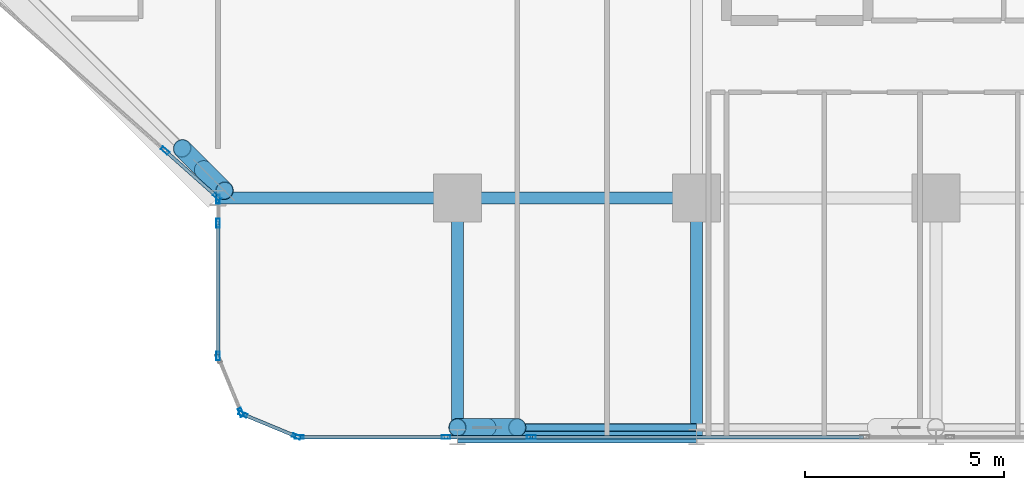
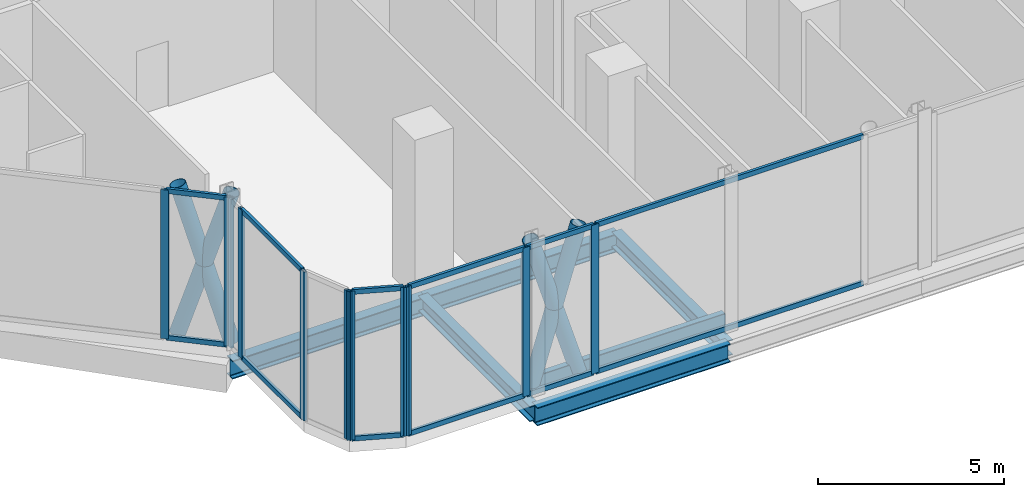
# One storey, part 4 of 36: 30 members, 5 beams, 8 elements without a shape of their own.
"""IFC4 building model written with IfcOpenShell, lengths in metres."""

import ifcopenshell
import ifcopenshell.guid

model = None  # the IFC model being written
_history = None  # IfcOwnerHistory: only IFC2X3 demands one
_inside = {}  # id of a spatial element -> (the spatial element, [elements in it])
_under = {}  # id of a project, library or spatial element -> (it, [spatial elements below it])
_declared = {}  # id of a project -> (the project, [libraries it declares])
_typed = {}  # id of a type object -> (the type object, [elements of that type])
_made_of = {}  # id of a material, layer set ... -> (it, [elements and type objects made of it])


def new_model(schema):
    """Start an empty IFC model of exactly this schema.

    Asked for "IFC4X3", IfcOpenShell would pick the latest addendum, in which some entities
    have other attributes; the version numbers below select the first issue.
    IFC2X3 requires an IfcOwnerHistory on every rooted entity: one is made here for all.
    """
    global model, _history
    if schema == "IFC4X3":
        model = ifcopenshell.file(schema_version=(4, 3, 0, 0))
    else:
        model = ifcopenshell.file(schema=schema)
    _inside.clear()
    _under.clear()
    _declared.clear()
    _typed.clear()
    _made_of.clear()
    _history = None
    if model.schema == "IFC2X3":
        org = make("IfcOrganization", Name="unknown")
        user = make(
            "IfcPersonAndOrganization",
            ThePerson=make("IfcPerson", FamilyName="unknown"),
            TheOrganization=org,
        )
        app = make(
            "IfcApplication",
            ApplicationDeveloper=org,
            Version="unknown",
            ApplicationFullName="unknown",
            ApplicationIdentifier="unknown",
        )
        _history = make(
            "IfcOwnerHistory",
            OwningUser=user,
            OwningApplication=app,
            ChangeAction="ADDED",
            CreationDate=0,
        )
    return model


def make(cls, **values):
    """One entity of the class cls with the attributes given. An attribute that is None is left unset."""
    return model.create_entity(
        cls, **{name: value for name, value in values.items() if value is not None}
    )


def rooted(cls, **values):
    """An entity with a GlobalId (a new one), such as an element, a storey or a relation."""
    return make(cls, GlobalId=ifcopenshell.guid.new(), OwnerHistory=_history, **values)


def si_unit(unit_type, name, prefix=None):
    """IfcSIUnit, for example si_unit("LENGTHUNIT", "METRE", prefix="MILLI")."""
    return make("IfcSIUnit", UnitType=unit_type, Prefix=prefix, Name=name)


def assignment(units):
    """IfcUnitAssignment: the units of a project."""
    return None if units is None else make("IfcUnitAssignment", Units=units)


def point(xyz):
    """IfcCartesianPoint."""
    return None if xyz is None else make("IfcCartesianPoint", Coordinates=xyz)


def direction(xyz):
    """IfcDirection."""
    return None if xyz is None else make("IfcDirection", DirectionRatios=xyz)


def frame(location, z_axis=None, x_axis=None):
    """IfcAxis2Placement3D, a coordinate frame: its origin and axes. An axis left out is left unset."""
    return make(
        "IfcAxis2Placement3D",
        Location=point(location),
        Axis=direction(z_axis),
        RefDirection=direction(x_axis),
    )


def frame_2d(location, x_axis=None):
    """IfcAxis2Placement2D, a coordinate frame in the plane: its origin and x axis."""
    return make(
        "IfcAxis2Placement2D", Location=point(location), RefDirection=direction(x_axis)
    )


def origin():
    """The frame at (0, 0, 0) with its axes left unset."""
    return frame((0.0, 0.0, 0.0))


def origin_2d():
    """The frame at (0, 0) in the plane with its x axis left unset."""
    return frame_2d((0.0, 0.0))


def place(relative_to, where):
    """IfcLocalPlacement: puts the frame where relative to a parent placement (None: the world)."""
    return make(
        "IfcLocalPlacement", PlacementRelTo=relative_to, RelativePlacement=where
    )


def context(
    kind, dimensions, precision=None, world=None, true_north=None, identifier=None
):
    """IfcGeometricRepresentationContext, for example the 3D "Model" context."""
    return make(
        "IfcGeometricRepresentationContext",
        ContextIdentifier=identifier,
        ContextType=kind,
        CoordinateSpaceDimension=dimensions,
        Precision=precision,
        WorldCoordinateSystem=world,
        TrueNorth=true_north,
    )


def subcontext(parent, identifier, kind, view, scale=None):
    """IfcGeometricRepresentationSubContext, for example "Body" below "Model"."""
    return make(
        "IfcGeometricRepresentationSubContext",
        ContextIdentifier=identifier,
        ContextType=kind,
        ParentContext=parent,
        TargetScale=scale,
        TargetView=view,
    )


def project(units=None, contexts=None):
    """IfcProject with its units and contexts."""
    return rooted(
        "IfcProject",
        Name="project",
        RepresentationContexts=contexts,
        UnitsInContext=assignment(units),
    )


def spatial(cls, under=None, at=None, **own):
    """A site, building, storey or space (cls), placed at a placement, below another one or the project."""
    s = rooted(cls, ObjectPlacement=at, **own)
    if under is not None:
        _under.setdefault(under.id(), (under, []))[1].append(s)
    return s


def profile(cls, at=None, kind="AREA", **sizes):
    """A parametric profile (cls). Its sizes go by their IFC names, for example OverallWidth=200.0."""
    return make(cls, ProfileType=kind, Position=at, **sizes)


def hollow_rectangle(**sizes):
    """IfcRectangleHollowProfileDef."""
    return profile("IfcRectangleHollowProfileDef", **sizes)


def hollow_circle(**sizes):
    """IfcCircleHollowProfileDef."""
    return profile("IfcCircleHollowProfileDef", **sizes)


def i_section(**sizes):
    """IfcIShapeProfileDef."""
    return profile("IfcIShapeProfileDef", **sizes)


def extrude(swept, where, along, depth):
    """IfcExtrudedAreaSolid: the profile swept, set in the frame where, extruded along a direction by depth."""
    return make(
        "IfcExtrudedAreaSolid",
        SweptArea=swept,
        Position=where,
        ExtrudedDirection=direction(along),
        Depth=depth,
    )


def shape(context_of_items, identifier, shape_type, items):
    """IfcShapeRepresentation: the items that make up one representation, for example the "Body"."""
    return make(
        "IfcShapeRepresentation",
        ContextOfItems=context_of_items,
        RepresentationIdentifier=identifier,
        RepresentationType=shape_type,
        Items=items,
    )


def material(Name=None, Category=None):
    """IfcMaterial."""
    return make("IfcMaterial", Name=Name, Category=Category)


def layer(
    of_material, thickness, ventilated=None, Name=None, Category=None, Priority=None
):
    """IfcMaterialLayer: one layer of a wall or slab, of a material (None: an air gap)."""
    return make(
        "IfcMaterialLayer",
        Material=of_material,
        LayerThickness=thickness,
        IsVentilated=ventilated,
        Name=Name,
        Category=Category,
        Priority=Priority,
    )


def layer_set(layers, Name=None):
    """IfcMaterialLayerSet."""
    return make("IfcMaterialLayerSet", MaterialLayers=layers, LayerSetName=Name)


def material_profile(
    of_material, cross_section, Name=None, Category=None, Priority=None
):
    """IfcMaterialProfile: a cross section and its material."""
    return make(
        "IfcMaterialProfile",
        Name=Name,
        Material=of_material,
        Profile=cross_section,
        Priority=Priority,
        Category=Category,
    )


def profile_set(profiles, Name=None, composite=None):
    """IfcMaterialProfileSet."""
    return make(
        "IfcMaterialProfileSet",
        Name=Name,
        MaterialProfiles=profiles,
        CompositeProfile=composite,
    )


def made_of(thing, what):
    """Note that an element or type object is made of a material, layer set ...; save() writes the relation."""
    if what is not None:
        _made_of.setdefault(what.id(), (what, []))[1].append(thing)
    return thing


def type_object(cls, material=None, **own):
    """A type object (cls), such as IfcWallType, which elements share."""
    return made_of(rooted(cls, **own), material)


def element(
    cls,
    number,
    at=None,
    inside=None,
    cuts=None,
    type_object=None,
    material=None,
    context=None,
    identifier="Body",
    shape_type=None,
    held_by="IfcProductDefinitionShape",
    body=None,
    shapes=None,
    **own,
):
    """One element of the class cls, such as IfcWall. Its Tag is "e" and its number.

    at: its placement. inside: the storey or other place that contains it. cuts: it is an
    opening in that element (IfcRelVoidsElement). A single representation is given by context,
    identifier, shape_type and body (its items); several are given by shapes. held_by: the class
    of the entity that holds the representations. save() writes the other relations.
    """
    e = rooted(cls, Tag="e%d" % number, ObjectPlacement=at, **own)
    if body is not None:
        shapes = [shape(context, identifier, shape_type, body)]
    if shapes is not None:
        e.Representation = make(held_by, Representations=shapes)
    if inside is not None:
        _inside.setdefault(inside.id(), (inside, []))[1].append(e)
    if cuts is not None:
        rooted(
            "IfcRelVoidsElement", RelatingBuildingElement=cuts, RelatedOpeningElement=e
        )
    if type_object is not None:
        _typed.setdefault(type_object.id(), (type_object, []))[1].append(e)
    return made_of(e, material)


def aggregate(whole, parts):
    """IfcRelAggregates: a whole, such as a stair, and the parts it consists of."""
    return rooted("IfcRelAggregates", RelatingObject=whole, RelatedObjects=parts)


def save(model, path):
    """Write the relations noted so far, then the file.

    IfcRelAggregates (storeys below a building ...), IfcRelContainedInSpatialStructure (elements
    in a storey), IfcRelDefinesByType, IfcRelAssociatesMaterial and IfcRelDeclares: one each for
    every whole, place, type object, material and project.
    """
    for whole, parts in _under.values():
        aggregate(whole, parts)
    for where, things in _inside.values():
        rooted(
            "IfcRelContainedInSpatialStructure",
            RelatedElements=things,
            RelatingStructure=where,
        )
    for kind, things in _typed.values():
        rooted("IfcRelDefinesByType", RelatedObjects=things, RelatingType=kind)
    for what, things in _made_of.values():
        rooted("IfcRelAssociatesMaterial", RelatedObjects=things, RelatingMaterial=what)
    for by, libraries in _declared.values():
        rooted("IfcRelDeclares", RelatingContext=by, RelatedDefinitions=libraries)
    model.write(path)


model = new_model("IFC4")

# Units and contexts
model_context = context("Model", 3, precision=1e-05, world=origin(), true_north=direction((0.0, 1.0)))
body_context = subcontext(model_context, "Body", "Model", "MODEL_VIEW")
ifc_project = project(units=[si_unit("LENGTHUNIT", "METRE"), si_unit("AREAUNIT", "SQUARE_METRE"), si_unit("VOLUMEUNIT", "CUBIC_METRE"), si_unit("PLANEANGLEUNIT", "RADIAN"), si_unit("MASSUNIT", "GRAM", prefix="KILO")], contexts=[model_context])

# Site, building, storey
site_placement = place(None, origin())
site = spatial("IfcSite", under=ifc_project, at=site_placement, CompositionType="ELEMENT")
building_placement = place(site_placement, origin())
building = spatial("IfcBuilding", under=site, at=building_placement, Name="Keshet Zoharim Tower", CompositionType="ELEMENT")
storey_placement = place(building_placement, frame((0.0, 0.0, 81.199951171875)))
storey = spatial("IfcBuildingStorey", under=building, at=storey_placement, Name="L19", CompositionType="ELEMENT", Elevation=81.199951171875)

# Beams
ifc_material_1 = material(Name="Steel S355", Category="steel")
ifc_material_profile_1 = material_profile(ifc_material_1, i_section(OverallWidth=0.300048828125, OverallDepth=0.5, WebThickness=0.014404296875, FlangeThickness=0.028076171875, FilletRadius=0.027099609375, at=origin_2d()), Name="HEB500")
ifc_profile_set_1 = profile_set([ifc_material_profile_1], Name="Steel S355")
beam_type_1 = type_object("IfcBeamType", Name="BM-WEB-HB500", PredefinedType="BEAM", material=ifc_profile_set_1)
for number, where, z_axis, x_axis, name in (
    (1, (27.0, 0.699951171875, -0.669921875), (0.0, 1.0, 0.0), (-1.0, 0.0, 0.0), "L19 Primary Girder Y-004"),
    (2, (33.0, 0.699951171875, -0.669921875), (0.0, 1.0, 0.0), (-1.0, 0.0, 0.0), "L19 Primary Girder Y-005"),
):
    element("IfcBeam", number, at=place(storey_placement, frame(where, z_axis=z_axis, x_axis=x_axis)), inside=storey, type_object=beam_type_1, Name=name, PredefinedType="BEAM", context=body_context, shape_type="SweptSolid", body=[
        extrude(i_section(OverallWidth=0.300048828125, OverallDepth=0.5, WebThickness=0.014404296875, FlangeThickness=0.028076171875, FilletRadius=0.027099609375, at=origin_2d()), origin(), (0.0, 0.0, 1.0), 6.0),
    ])
ifc_material_profile_2 = material_profile(ifc_material_1, i_section(OverallWidth=0.300048828125, OverallDepth=0.60009765625, WebThickness=0.015380859375, FlangeThickness=0.030029296875, FilletRadius=0.027099609375, at=origin_2d()), Name="HEB600")
ifc_profile_set_2 = profile_set([ifc_material_profile_2], Name="Steel S355")
beam_type_2 = type_object("IfcBeamType", Name="BM-WEB-HB600", PredefinedType="BEAM", material=ifc_profile_set_2)
for number, where, z_axis, x_axis, name in (
    (3, (27.0, 0.699951171875, -0.719970703125), (1.0, 0.0, 0.0), (0.0, 1.0, 0.0), "L19 Primary Girder X-001"),
    (4, (21.0, 6.699951171875, -0.719970703125), (1.0, 0.0, 0.0), (0.0, 1.0, 0.0), "L19 Primary Girder X-006"),
    (5, (27.0, 6.699951171875, -0.719970703125), (1.0, 0.0, 0.0), (0.0, 1.0, 0.0), "L19 Primary Girder X-007"),
):
    element("IfcBeam", number, at=place(storey_placement, frame(where, z_axis=z_axis, x_axis=x_axis)), inside=storey, type_object=beam_type_2, Name=name, PredefinedType="BEAM", context=body_context, shape_type="SweptSolid", body=[
        extrude(i_section(OverallWidth=0.300048828125, OverallDepth=0.60009765625, WebThickness=0.015380859375, FlangeThickness=0.030029296875, FilletRadius=0.027099609375, at=origin_2d()), origin(), (0.0, 0.0, 1.0), 6.0),
    ])

# Curtain wall, members
ifc_material_2 = material(Name="Aluminium 6063-T6", Category="aluminium")
ifc_layer = layer(ifc_material_2, 0.179931640625)
ifc_layer_set = layer_set([ifc_layer], Name="Aluminium 6063-T6")
curtain_wall_type = type_object("IfcCurtainWallType", Name="CW-SYS-01", PredefinedType="NOTDEFINED", material=ifc_layer_set)
curtain_wall_1_placement = place(storey_placement, origin())
curtain_wall_1 = element("IfcCurtainWall", 6, at=curtain_wall_1_placement, inside=storey, type_object=curtain_wall_type, Name="L19 Unitised Curtain Wall 01", PredefinedType="NOTDEFINED")
ifc_material_profile_3 = material_profile(ifc_material_2, hollow_rectangle(XDim=0.090087890625, YDim=0.219970703125, WallThickness=0.0048828125, at=origin_2d()), Name="MUL-90x220")
ifc_profile_set_3 = profile_set([ifc_material_profile_3], Name="Aluminium 6063-T6")
member_type_1 = type_object("IfcMemberType", Name="CWM-M22", PredefinedType="MULLION", material=ifc_profile_set_3)
member_1_placement = place(storey_placement, frame((20.973876953125, 6.72314453125, 0.0), z_axis=(0.0, 0.0, 1.0), x_axis=(-0.664377507004, -0.747397168972, 0.0)))
member_1 = element("IfcMember", 7, at=member_1_placement, type_object=member_type_1, Name="CW-01 mullion 1", PredefinedType="MULLION", context=body_context, shape_type="SweptSolid", body=[
    extrude(hollow_rectangle(XDim=0.090087890625, YDim=0.219970703125, WallThickness=0.0048828125, at=origin_2d()), origin(), (0.0, 0.0, 1.0), 4.885009765625),
])
member_2_placement = place(storey_placement, frame((19.66845703125, 7.883544921875, 0.0), z_axis=(0.0, 0.0, 1.0), x_axis=(-0.664377507004, -0.747397168972, 0.0)))
member_2 = element("IfcMember", 8, at=member_2_placement, type_object=member_type_1, Name="CW-01 mullion 2", PredefinedType="MULLION", context=body_context, shape_type="SweptSolid", body=[
    extrude(hollow_rectangle(XDim=0.090087890625, YDim=0.219970703125, WallThickness=0.0048828125, at=origin_2d()), origin(), (0.0, 0.0, 1.0), 4.885009765625),
])

# Curtain wall, member
curtain_wall_2_placement = place(storey_placement, origin())
curtain_wall_2 = element("IfcCurtainWall", 9, at=curtain_wall_2_placement, inside=storey, type_object=curtain_wall_type, Name="L19 Unitised Curtain Wall 26 Part 8", PredefinedType="NOTDEFINED")
member_3_placement = place(storey_placement, frame((28.853515625, 0.699951171875, 0.0), z_axis=(0.0, 0.0, 1.0), x_axis=(0.0, -1.0, 0.0)))
member_3 = element("IfcMember", 10, at=member_3_placement, type_object=member_type_1, Name="CW-01 mullion 2", PredefinedType="MULLION", context=body_context, shape_type="SweptSolid", body=[
    extrude(hollow_rectangle(XDim=0.090087890625, YDim=0.219970703125, WallThickness=0.0048828125, at=origin_2d()), origin(), (0.0, 0.0, 1.0), 4.885009765625),
])

curtain_wall_3_placement = place(storey_placement, origin())
curtain_wall_3 = element("IfcCurtainWall", 11, at=curtain_wall_3_placement, inside=storey, type_object=curtain_wall_type, Name="L19 Unitised Curtain Wall 26 Part 9", PredefinedType="NOTDEFINED")
member_4_placement = place(storey_placement, frame((26.716552734375, 0.699951171875, 0.0), z_axis=(0.0, 0.0, 1.0), x_axis=(0.0, -1.0, 0.0)))
member_4 = element("IfcMember", 12, at=member_4_placement, type_object=member_type_1, Name="CW-01 mullion 2", PredefinedType="MULLION", context=body_context, shape_type="SweptSolid", body=[
    extrude(hollow_rectangle(XDim=0.090087890625, YDim=0.219970703125, WallThickness=0.0048828125, at=origin_2d()), origin(), (0.0, 0.0, 1.0), 4.885009765625),
])

curtain_wall_4_placement = place(storey_placement, origin())
curtain_wall_4 = element("IfcCurtainWall", 13, at=curtain_wall_4_placement, inside=storey, type_object=curtain_wall_type, Name="L19 Unitised Curtain Wall 26 Part 10", PredefinedType="NOTDEFINED")
member_5_placement = place(storey_placement, frame((23.034912109375, 0.699951171875, 0.0), z_axis=(0.0, 0.0, 1.0), x_axis=(0.0, -1.0, 0.0)))
member_5 = element("IfcMember", 14, at=member_5_placement, type_object=member_type_1, Name="CW-01 mullion 2", PredefinedType="MULLION", context=body_context, shape_type="SweptSolid", body=[
    extrude(hollow_rectangle(XDim=0.090087890625, YDim=0.219970703125, WallThickness=0.0048828125, at=origin_2d()), origin(), (0.0, 0.0, 1.0), 4.885009765625),
])

# Curtain wall, members
curtain_wall_5_placement = place(storey_placement, origin())
curtain_wall_5 = element("IfcCurtainWall", 15, at=curtain_wall_5_placement, inside=storey, type_object=curtain_wall_type, Name="L19 Unitised Curtain Wall 27", PredefinedType="NOTDEFINED")
member_6_placement = place(storey_placement, frame((22.9677734375, 0.71337890625, 0.0), z_axis=(0.0, 0.0, 1.0), x_axis=(-0.382851849847, -0.92380975372, 0.0)))
member_6 = element("IfcMember", 16, at=member_6_placement, type_object=member_type_1, Name="CW-01 mullion 1", PredefinedType="MULLION", context=body_context, shape_type="SweptSolid", body=[
    extrude(hollow_rectangle(XDim=0.090087890625, YDim=0.219970703125, WallThickness=0.0048828125, at=origin_2d()), origin(), (0.0, 0.0, 1.0), 4.885009765625),
])
member_7_placement = place(storey_placement, frame((21.618408203125, 1.272705078125, 0.0), z_axis=(0.0, 0.0, 1.0), x_axis=(-0.382851849847, -0.92380975372, 0.0)))
member_7 = element("IfcMember", 17, at=member_7_placement, type_object=member_type_1, Name="CW-01 mullion 2", PredefinedType="MULLION", context=body_context, shape_type="SweptSolid", body=[
    extrude(hollow_rectangle(XDim=0.090087890625, YDim=0.219970703125, WallThickness=0.0048828125, at=origin_2d()), origin(), (0.0, 0.0, 1.0), 4.885009765625),
])

# Curtain wall, member
curtain_wall_6_placement = place(storey_placement, origin())
curtain_wall_6 = element("IfcCurtainWall", 18, at=curtain_wall_6_placement, inside=storey, type_object=curtain_wall_type, Name="L19 Unitised Curtain Wall 28", PredefinedType="NOTDEFINED")
member_8_placement = place(storey_placement, frame((21.572509765625, 1.318359375, 0.0), z_axis=(0.0, 0.0, 1.0), x_axis=(-0.92380975372, -0.382851849847, 0.0)))
member_8 = element("IfcMember", 19, at=member_8_placement, type_object=member_type_1, Name="CW-01 mullion 1", PredefinedType="MULLION", context=body_context, shape_type="SweptSolid", body=[
    extrude(hollow_rectangle(XDim=0.090087890625, YDim=0.219970703125, WallThickness=0.0048828125, at=origin_2d()), origin(), (0.0, 0.0, 1.0), 4.885009765625),
])
aggregate(curtain_wall_6, [member_8])

# Curtain wall, members
curtain_wall_7_placement = place(storey_placement, origin())
curtain_wall_7 = element("IfcCurtainWall", 20, at=curtain_wall_7_placement, inside=storey, type_object=curtain_wall_type, Name="L19 Unitised Curtain Wall 29", PredefinedType="NOTDEFINED")
member_9_placement = place(storey_placement, frame((21.0, 2.735107421875, 0.0), z_axis=(0.0, 0.0, 1.0), x_axis=(-1.0, 0.0, 0.0)))
member_9 = element("IfcMember", 21, at=member_9_placement, type_object=member_type_1, Name="CW-01 mullion 1", PredefinedType="MULLION", context=body_context, shape_type="SweptSolid", body=[
    extrude(hollow_rectangle(XDim=0.090087890625, YDim=0.219970703125, WallThickness=0.0048828125, at=origin_2d()), origin(), (0.0, 0.0, 1.0), 4.885009765625),
])
member_10_placement = place(storey_placement, frame((21.0, 6.06494140625, 0.0), z_axis=(0.0, 0.0, 1.0), x_axis=(-1.0, 0.0, 0.0)))
member_10 = element("IfcMember", 22, at=member_10_placement, type_object=member_type_1, Name="CW-01 mullion 2", PredefinedType="MULLION", context=body_context, shape_type="SweptSolid", body=[
    extrude(hollow_rectangle(XDim=0.090087890625, YDim=0.219970703125, WallThickness=0.0048828125, at=origin_2d()), origin(), (0.0, 0.0, 1.0), 4.885009765625),
])

# Curtain wall, member
curtain_wall_8_placement = place(storey_placement, origin())
curtain_wall_8 = element("IfcCurtainWall", 23, at=curtain_wall_8_placement, inside=storey, type_object=curtain_wall_type, Name="L19 Unitised Curtain Wall 29 Part 2", PredefinedType="NOTDEFINED")
member_11_placement = place(storey_placement, frame((21.0, 6.6650390625, 0.0), z_axis=(0.0, 0.0, 1.0), x_axis=(-1.0, 0.0, 0.0)))
member_11 = element("IfcMember", 24, at=member_11_placement, type_object=member_type_1, Name="CW-01 mullion 2", PredefinedType="MULLION", context=body_context, shape_type="SweptSolid", body=[
    extrude(hollow_rectangle(XDim=0.090087890625, YDim=0.219970703125, WallThickness=0.0048828125, at=origin_2d()), origin(), (0.0, 0.0, 1.0), 4.885009765625),
])
aggregate(curtain_wall_8, [member_11])

# Member
ifc_material_profile_4 = material_profile(ifc_material_2, hollow_rectangle(XDim=0.0849609375, YDim=0.159912109375, WallThickness=0.00439453125, at=origin_2d()), Name="TRN-85x160")
ifc_profile_set_4 = profile_set([ifc_material_profile_4], Name="Aluminium 6063-T6")
member_type_2 = type_object("IfcMemberType", Name="CWT-T16", PredefinedType="USERDEFINED", material=ifc_profile_set_4)
member_12_placement = place(storey_placement, frame((20.94775390625, 6.74658203125, 0.03515625), z_axis=(-0.747393248516, 0.664381917328, 0.0), x_axis=(-0.664381917328, -0.747393248516, 0.0)))
member_12 = element("IfcMember", 25, at=member_12_placement, type_object=member_type_2, Name="CW-01 transom 1.1", ObjectType="TRANSOM", PredefinedType="USERDEFINED", context=body_context, shape_type="SweptSolid", body=[
    extrude(hollow_rectangle(XDim=0.0849609375, YDim=0.159912109375, WallThickness=0.00439453125, at=origin_2d()), origin(), (0.0, 0.0, 1.0), 1.676513671875),
])

member_13_placement = place(storey_placement, frame((20.94775390625, 6.74658203125, 4.85009765625), z_axis=(-0.747393248516, 0.664381917328, 0.0), x_axis=(-0.664381917328, -0.747393248516, 0.0)))
member_13 = element("IfcMember", 26, at=member_13_placement, type_object=member_type_2, Name="CW-01 transom 1.2", ObjectType="TRANSOM", PredefinedType="USERDEFINED", context=body_context, shape_type="SweptSolid", body=[
    extrude(hollow_rectangle(XDim=0.0849609375, YDim=0.159912109375, WallThickness=0.00439453125, at=origin_2d()), origin(), (0.0, 0.0, 1.0), 1.676513671875),
])

aggregate(curtain_wall_1, [member_1, member_2, member_12, member_13])

member_14_placement = place(storey_placement, frame((37.181640625, 0.699951171875, 0.03515625), z_axis=(-1.0, 0.0, 0.0), x_axis=(0.0, -1.0, 0.0)))
member_14 = element("IfcMember", 27, at=member_14_placement, type_object=member_type_2, Name="CW-01 transom 1.1", ObjectType="TRANSOM", PredefinedType="USERDEFINED", context=body_context, shape_type="SweptSolid", body=[
    extrude(hollow_rectangle(XDim=0.0849609375, YDim=0.159912109375, WallThickness=0.00439453125, at=origin_2d()), origin(), (0.0, 0.0, 1.0), 8.293212890625),
])

member_15_placement = place(storey_placement, frame((37.181640625, 0.699951171875, 4.85009765625), z_axis=(-1.0, 0.0, 0.0), x_axis=(0.0, -1.0, 0.0)))
member_15 = element("IfcMember", 28, at=member_15_placement, type_object=member_type_2, Name="CW-01 transom 1.2", ObjectType="TRANSOM", PredefinedType="USERDEFINED", context=body_context, shape_type="SweptSolid", body=[
    extrude(hollow_rectangle(XDim=0.0849609375, YDim=0.159912109375, WallThickness=0.00439453125, at=origin_2d()), origin(), (0.0, 0.0, 1.0), 8.293212890625),
])

aggregate(curtain_wall_2, [member_3, member_14, member_15])

member_16_placement = place(storey_placement, frame((28.818359375, 0.699951171875, 0.03515625), z_axis=(-1.0, 0.0, 0.0), x_axis=(0.0, -1.0, 0.0)))
member_16 = element("IfcMember", 29, at=member_16_placement, type_object=member_type_2, Name="CW-01 transom 1.1", ObjectType="TRANSOM", PredefinedType="USERDEFINED", context=body_context, shape_type="SweptSolid", body=[
    extrude(hollow_rectangle(XDim=0.0849609375, YDim=0.159912109375, WallThickness=0.00439453125, at=origin_2d()), origin(), (0.0, 0.0, 1.0), 2.066650390625),
])

member_17_placement = place(storey_placement, frame((28.818359375, 0.699951171875, 4.85009765625), z_axis=(-1.0, 0.0, 0.0), x_axis=(0.0, -1.0, 0.0)))
member_17 = element("IfcMember", 30, at=member_17_placement, type_object=member_type_2, Name="CW-01 transom 1.2", ObjectType="TRANSOM", PredefinedType="USERDEFINED", context=body_context, shape_type="SweptSolid", body=[
    extrude(hollow_rectangle(XDim=0.0849609375, YDim=0.159912109375, WallThickness=0.00439453125, at=origin_2d()), origin(), (0.0, 0.0, 1.0), 2.066650390625),
])

aggregate(curtain_wall_3, [member_4, member_16, member_17])

member_18_placement = place(storey_placement, frame((26.681640625, 0.699951171875, 0.03515625), z_axis=(-1.0, 0.0, 0.0), x_axis=(0.0, -1.0, 0.0)))
member_18 = element("IfcMember", 31, at=member_18_placement, type_object=member_type_2, Name="CW-01 transom 1.1", ObjectType="TRANSOM", PredefinedType="USERDEFINED", context=body_context, shape_type="SweptSolid", body=[
    extrude(hollow_rectangle(XDim=0.0849609375, YDim=0.159912109375, WallThickness=0.00439453125, at=origin_2d()), origin(), (0.0, 0.0, 1.0), 3.611572265625),
])

member_19_placement = place(storey_placement, frame((26.681640625, 0.699951171875, 4.85009765625), z_axis=(-1.0, 0.0, 0.0), x_axis=(0.0, -1.0, 0.0)))
member_19 = element("IfcMember", 32, at=member_19_placement, type_object=member_type_2, Name="CW-01 transom 1.2", ObjectType="TRANSOM", PredefinedType="USERDEFINED", context=body_context, shape_type="SweptSolid", body=[
    extrude(hollow_rectangle(XDim=0.0849609375, YDim=0.159912109375, WallThickness=0.00439453125, at=origin_2d()), origin(), (0.0, 0.0, 1.0), 3.611572265625),
])

aggregate(curtain_wall_4, [member_5, member_18, member_19])

member_20_placement = place(storey_placement, frame((22.935302734375, 0.726806640625, 0.03515625), z_axis=(-0.92379209995, 0.382894445076, 0.0), x_axis=(-0.382894445076, -0.92379209995, 0.0)))
member_20 = element("IfcMember", 33, at=member_20_placement, type_object=member_type_2, Name="CW-01 transom 1.1", ObjectType="TRANSOM", PredefinedType="USERDEFINED", context=body_context, shape_type="SweptSolid", body=[
    extrude(hollow_rectangle(XDim=0.0849609375, YDim=0.159912109375, WallThickness=0.00439453125, at=origin_2d()), origin(), (0.0, 0.0, 1.0), 1.390625),
])

member_21_placement = place(storey_placement, frame((22.935302734375, 0.726806640625, 4.85009765625), z_axis=(-0.92379209995, 0.382894445076, 0.0), x_axis=(-0.382894445076, -0.92379209995, 0.0)))
member_21 = element("IfcMember", 34, at=member_21_placement, type_object=member_type_2, Name="CW-01 transom 1.2", ObjectType="TRANSOM", PredefinedType="USERDEFINED", context=body_context, shape_type="SweptSolid", body=[
    extrude(hollow_rectangle(XDim=0.0849609375, YDim=0.159912109375, WallThickness=0.00439453125, at=origin_2d()), origin(), (0.0, 0.0, 1.0), 1.390625),
])

aggregate(curtain_wall_5, [member_6, member_7, member_20, member_21])

member_22_placement = place(storey_placement, frame((21.0, 2.77001953125, 0.03515625), z_axis=(0.0, 1.0, 0.0), x_axis=(-1.0, 0.0, 0.0)))
member_22 = element("IfcMember", 35, at=member_22_placement, type_object=member_type_2, Name="CW-01 transom 1.1", ObjectType="TRANSOM", PredefinedType="USERDEFINED", context=body_context, shape_type="SweptSolid", body=[
    extrude(hollow_rectangle(XDim=0.0849609375, YDim=0.159912109375, WallThickness=0.00439453125, at=origin_2d()), origin(), (0.0, 0.0, 1.0), 3.260009765625),
])

member_23_placement = place(storey_placement, frame((21.0, 2.77001953125, 4.85009765625), z_axis=(0.0, 1.0, 0.0), x_axis=(-1.0, 0.0, 0.0)))
member_23 = element("IfcMember", 36, at=member_23_placement, type_object=member_type_2, Name="CW-01 transom 1.2", ObjectType="TRANSOM", PredefinedType="USERDEFINED", context=body_context, shape_type="SweptSolid", body=[
    extrude(hollow_rectangle(XDim=0.0849609375, YDim=0.159912109375, WallThickness=0.00439453125, at=origin_2d()), origin(), (0.0, 0.0, 1.0), 3.260009765625),
])

aggregate(curtain_wall_7, [member_9, member_10, member_22, member_23])

# Members
ifc_material_profile_5 = material_profile(ifc_material_1, hollow_circle(Radius=0.228515625, WallThickness=0.01611328125, at=origin_2d()), Name="CHS457x16")
ifc_profile_set_5 = profile_set([ifc_material_profile_5], Name="Steel S355")
member_type_3 = type_object("IfcMemberType", Name="MB-BELT-C457", PredefinedType="BRACE", material=ifc_profile_set_5)
member_24_placement = place(storey_placement, frame((21.158935546875, 6.87890625, 0.0), z_axis=(-0.207627795983, 0.207627795983, 0.955919137098), x_axis=(-0.707106781187, -0.707106781187, 0.0)))
element("IfcMember", 37, at=member_24_placement, inside=storey, type_object=member_type_3, Name="L19 Perimeter Belt Truss Continuous Diagonal A01", PredefinedType="BRACE", context=body_context, shape_type="SweptSolid", body=[
    extrude(hollow_circle(Radius=0.228515625, WallThickness=0.01611328125, at=origin_2d()), origin(), (0.0, 0.0, 1.0), 5.1103515625),
])
member_25_placement = place(storey_placement, frame((20.097900390625, 7.93994140625, 0.0), z_axis=(0.207618314342, -0.207618314342, 0.955923255863), x_axis=(0.707106781187, 0.707106781187, 0.0)))
element("IfcMember", 38, at=member_25_placement, inside=storey, type_object=member_type_3, Name="L19 Perimeter Belt Truss Split Diagonal B1-01", PredefinedType="BRACE", context=body_context, shape_type="SweptSolid", body=[
    extrude(hollow_circle(Radius=0.228515625, WallThickness=0.01611328125, at=origin_2d()), origin(), (0.0, 0.0, 1.0), 2.55517578125),
])
member_26_placement = place(storey_placement, frame((20.62841796875, 7.409423828125, 2.442626953125), z_axis=(0.20763727845, -0.20763727845, 0.955915017769), x_axis=(0.707106781187, 0.707106781187, 0.0)))
element("IfcMember", 39, at=member_26_placement, inside=storey, type_object=member_type_3, Name="L19 Perimeter Belt Truss Split Diagonal B2-01", PredefinedType="BRACE", context=body_context, shape_type="SweptSolid", body=[
    extrude(hollow_circle(Radius=0.228515625, WallThickness=0.01611328125, at=origin_2d()), origin(), (0.0, 0.0, 1.0), 2.554931640625),
])
member_27_placement = place(storey_placement, frame((27.0, 0.93994140625, 0.0), z_axis=(0.293535214916, 0.0, 0.955948260945), x_axis=(0.0, 1.0, 0.0)))
element("IfcMember", 40, at=member_27_placement, inside=storey, type_object=member_type_3, Name="L19 Perimeter Belt Truss Continuous Diagonal A13", PredefinedType="BRACE", context=body_context, shape_type="SweptSolid", body=[
    extrude(hollow_circle(Radius=0.228515625, WallThickness=0.01611328125, at=origin_2d()), origin(), (0.0, 0.0, 1.0), 5.110107421875),
])
member_28_placement = place(storey_placement, frame((28.5, 0.93994140625, 0.0), z_axis=(-0.293521809364, 0.0, 0.955952377176), x_axis=(0.0, -1.0, 0.0)))
element("IfcMember", 41, at=member_28_placement, inside=storey, type_object=member_type_3, Name="L19 Perimeter Belt Truss Split Diagonal B1-13", PredefinedType="BRACE", context=body_context, shape_type="SweptSolid", body=[
    extrude(hollow_circle(Radius=0.228515625, WallThickness=0.01611328125, at=origin_2d()), origin(), (0.0, 0.0, 1.0), 2.55517578125),
])
member_29_placement = place(storey_placement, frame((27.75, 0.93994140625, 2.442626953125), z_axis=(-0.293548621635, 0.0, 0.955944144151), x_axis=(0.0, -1.0, 0.0)))
element("IfcMember", 42, at=member_29_placement, inside=storey, type_object=member_type_3, Name="L19 Perimeter Belt Truss Split Diagonal B2-13", PredefinedType="BRACE", context=body_context, shape_type="SweptSolid", body=[
    extrude(hollow_circle(Radius=0.228515625, WallThickness=0.01611328125, at=origin_2d()), origin(), (0.0, 0.0, 1.0), 2.554931640625),
])
ifc_material_profile_6 = material_profile(ifc_material_1, hollow_rectangle(XDim=0.199951171875, YDim=0.39990234375, WallThickness=0.01611328125, InnerFilletRadius=0.01611328125, OuterFilletRadius=0.02392578125, at=origin_2d()), Name="RHS400x200x16")
ifc_profile_set_6 = profile_set([ifc_material_profile_6], Name="Steel S355")
member_type_4 = type_object("IfcMemberType", Name="MB-CHD-R400", PredefinedType="CHORD", material=ifc_profile_set_6)
member_30_placement = place(storey_placement, frame((33.0, 0.93994140625, 0.199951171875), z_axis=(-1.0, 0.0, 0.0), x_axis=(0.0, -1.0, 0.0)))
element("IfcMember", 43, at=member_30_placement, inside=storey, type_object=member_type_4, Name="L19 Perimeter Belt Truss Chord B13", PredefinedType="CHORD", context=body_context, shape_type="SweptSolid", body=[
    extrude(hollow_rectangle(XDim=0.199951171875, YDim=0.39990234375, WallThickness=0.01611328125, InnerFilletRadius=0.01611328125, OuterFilletRadius=0.02392578125, at=origin_2d()), origin(), (0.0, 0.0, 1.0), 6.0),
])

save(model, "model.ifc")
